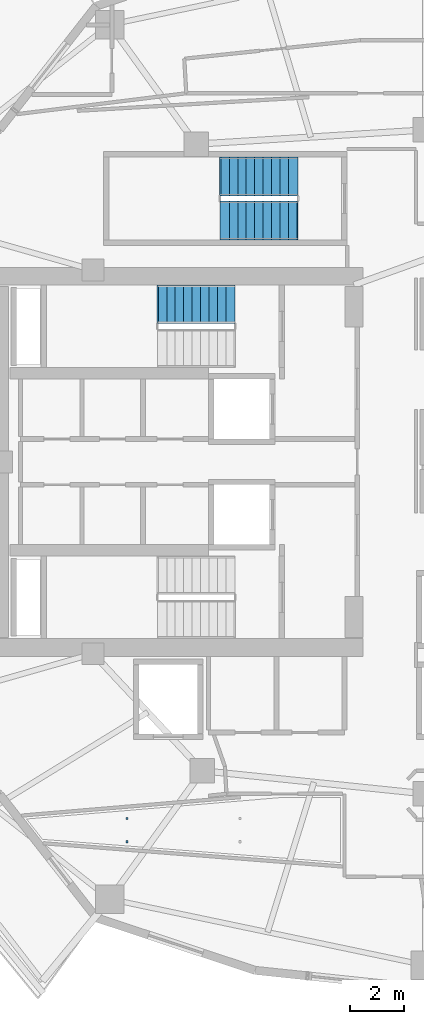
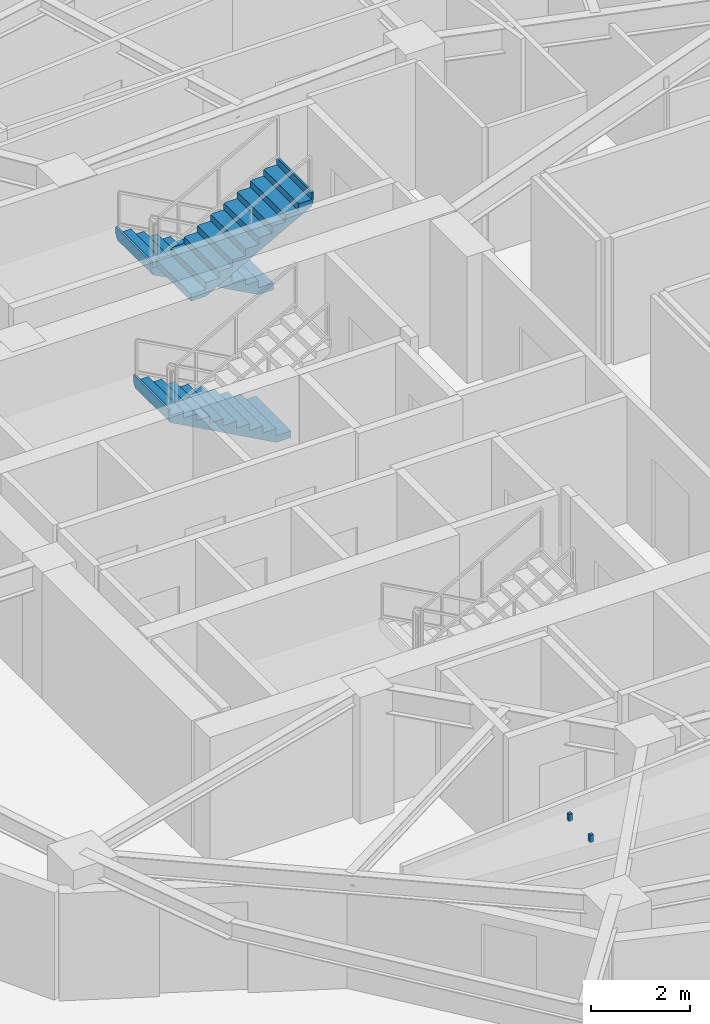
# One storey, part 11 of 18: 3 stair flights, 2 discrete accessories, 2 elements without a shape of their own.
"""IFC4 building model written with IfcOpenShell, lengths in metres."""

from ifc_helpers import new_model, si_unit, direction, frame, origin, origin_2d, place, context, subcontext, project, spatial, polyline, rectangle, outline, extrude, material, type_object, element, aggregate, save


model = new_model("IFC4")

# Units and contexts
model_context = context("Model", 3, precision=1e-05, world=origin(), true_north=direction((0.0, 1.0)))
body_context = subcontext(model_context, "Body", "Model", "MODEL_VIEW")
ifc_project = project(units=[si_unit("LENGTHUNIT", "METRE"), si_unit("AREAUNIT", "SQUARE_METRE"), si_unit("VOLUMEUNIT", "CUBIC_METRE"), si_unit("PLANEANGLEUNIT", "RADIAN"), si_unit("MASSUNIT", "GRAM", prefix="KILO")], contexts=[model_context])

# Site, building, storey
site_placement = place(None, origin())
site = spatial("IfcSite", under=ifc_project, at=site_placement, CompositionType="ELEMENT")
building_placement = place(site_placement, origin())
building = spatial("IfcBuilding", under=site, at=building_placement, Name="Kolvaren Gate Tower and Convention Centre", CompositionType="ELEMENT")
storey_placement = place(building_placement, frame((0.0, 0.0, 135.89990234375)))
storey = spatial("IfcBuildingStorey", under=building, at=storey_placement, Name="L34", CompositionType="ELEMENT", Elevation=135.89990234375)

# Stair, stair flight
ifc_material_1 = material(Name="Concrete C50/60", Category="concrete")
stair_type = type_object("IfcStairType", Name="STR-STAIR-CORE", PredefinedType="HALF_TURN_STAIR", material=ifc_material_1)
stair_1_placement = place(storey_placement, origin())
stair_1 = element("IfcStair", 1, at=stair_1_placement, inside=storey, type_object=stair_type, Name="L34 Tower North Exit Stair ST-T1", PredefinedType="HALF_TURN_STAIR")
stair_flight_type = type_object("IfcStairFlightType", Name="STR-SFL-1420", PredefinedType="STRAIGHT", material=ifc_material_1)
stair_flight_1_placement = place(storey_placement, frame((23.10009765625, 32.7900390625, 0.0), z_axis=(0.0, 0.0, 1.0), x_axis=(-1.0, 0.0, 0.0)))
stair_flight_1 = element("IfcStairFlight", 2, at=stair_flight_1_placement, type_object=stair_flight_type, Name="ST-T1 flight 1", NumberOfRisers=10, NumberOfTreads=9, PredefinedType="STRAIGHT", RiserHeight=0.17, TreadLength=0.31, context=body_context, shape_type="SweptSolid", body=[
    extrude(outline(polyline([(-0.034912109375, 0.0), (-0.034912109375, 0.169921875), (0.31005859375, 0.169921875), (0.31005859375, 0.340087890625), (0.6201171875, 0.340087890625), (0.6201171875, 0.510009765625), (0.929931640625, 0.510009765625), (0.929931640625, 0.679931640625), (1.239990234375, 0.679931640625), (1.239990234375, 0.85009765625), (1.550048828125, 0.85009765625), (1.550048828125, 1.02001953125), (1.860107421875, 1.02001953125), (1.860107421875, 1.18994140625), (2.169921875, 1.18994140625), (2.169921875, 1.360107421875), (2.47998046875, 1.360107421875), (2.47998046875, 1.530029296875), (2.7900390625, 1.530029296875), (2.7900390625, 1.699951171875), (2.8349609375, 1.699951171875), (2.8349609375, 1.5400390625), (2.7900390625, 1.359130859375), (0.311767578125, 0.0), (-0.034912109375, 0.0)])), frame((0.0, 0.7099609375, 0.0), z_axis=(0.0, -1.0, 0.0), x_axis=(1.0, 0.0, 0.0)), (0.0, 0.0, 1.0), 1.419921875),
])
aggregate(stair_1, [stair_flight_1])

# Stair, stair flights
stair_2_placement = place(storey_placement, origin())
stair_2 = element("IfcStair", 3, at=stair_2_placement, inside=storey, type_object=stair_type, Name="L34 Tower Mid-Zone Exit Stair ST-T3", PredefinedType="HALF_TURN_STAIR")
stair_flight_2_placement = place(storey_placement, frame((25.39990234375, 37.489990234375, 0.0), z_axis=(0.0, 0.0, 1.0), x_axis=(-1.0, 0.0, 0.0)))
stair_flight_2 = element("IfcStairFlight", 4, at=stair_flight_2_placement, type_object=stair_flight_type, Name="ST-T3 flight 1", NumberOfRisers=10, NumberOfTreads=9, PredefinedType="STRAIGHT", RiserHeight=0.17, TreadLength=0.31, context=body_context, shape_type="SweptSolid", body=[
    extrude(outline(polyline([(-0.034912109375, 0.0), (-0.034912109375, 0.169921875), (0.31005859375, 0.169921875), (0.31005859375, 0.340087890625), (0.6201171875, 0.340087890625), (0.6201171875, 0.510009765625), (0.929931640625, 0.510009765625), (0.929931640625, 0.679931640625), (1.239990234375, 0.679931640625), (1.239990234375, 0.85009765625), (1.550048828125, 0.85009765625), (1.550048828125, 1.02001953125), (1.860107421875, 1.02001953125), (1.860107421875, 1.18994140625), (2.169921875, 1.18994140625), (2.169921875, 1.360107421875), (2.47998046875, 1.360107421875), (2.47998046875, 1.530029296875), (2.7900390625, 1.530029296875), (2.7900390625, 1.699951171875), (2.8349609375, 1.699951171875), (2.8349609375, 1.5400390625), (2.7900390625, 1.359130859375), (0.311767578125, 0.0), (-0.034912109375, 0.0)])), frame((0.0, 0.7099609375, 0.0), z_axis=(0.0, -1.0, 0.0), x_axis=(1.0, 0.0, 0.0)), (0.0, 0.0, 1.0), 1.419921875),
])
stair_flight_3_placement = place(storey_placement, frame((22.610107421875, 35.8701171875, 1.7001953125), z_axis=(0.0, 0.0, 1.0), x_axis=(1.0, 0.0, 0.0)))
stair_flight_3 = element("IfcStairFlight", 5, at=stair_flight_3_placement, type_object=stair_flight_type, Name="ST-T3 flight 2", NumberOfRisers=10, NumberOfTreads=9, PredefinedType="STRAIGHT", RiserHeight=0.17, TreadLength=0.31, context=body_context, shape_type="SweptSolid", body=[
    extrude(outline(polyline([(-0.034912109375, 0.0), (-0.034912109375, 0.169921875), (0.31005859375, 0.169921875), (0.31005859375, 0.340087890625), (0.6201171875, 0.340087890625), (0.6201171875, 0.510009765625), (0.929931640625, 0.510009765625), (0.929931640625, 0.679931640625), (1.239990234375, 0.679931640625), (1.239990234375, 0.85009765625), (1.550048828125, 0.85009765625), (1.550048828125, 1.02001953125), (1.860107421875, 1.02001953125), (1.860107421875, 1.18994140625), (2.169921875, 1.18994140625), (2.169921875, 1.360107421875), (2.47998046875, 1.360107421875), (2.47998046875, 1.530029296875), (2.7900390625, 1.530029296875), (2.7900390625, 1.699951171875), (2.8349609375, 1.699951171875), (2.8349609375, 1.5400390625), (2.7900390625, 1.359130859375), (0.311767578125, 0.0), (-0.034912109375, 0.0)])), frame((0.0, 0.7099609375, 0.0), z_axis=(0.0, -1.0, 0.0), x_axis=(1.0, 0.0, 0.0)), (0.0, 0.0, 1.0), 1.419921875),
])
aggregate(stair_2, [stair_flight_2, stair_flight_3])

# Discrete accessories
ifc_material_2 = material(Name="Brushed Stainless Steel Grade 316L", Category="steel")
discrete_accessory_type = type_object("IfcDiscreteAccessoryType", Name="ARCH-ACC-HANGER-80", PredefinedType="BRACKET", material=ifc_material_2)
for number, where, z_axis, x_axis, name in (
    (6, (19.160888671875, 13.0380859375, 2.9501953125), (0.0, 0.0, 1.0), (1.0, 0.0, 0.0), "Hotel Sky Banquet Salon Ceiling Suspension Hanger Clip 1"),
    (7, (19.160888671875, 13.89697265625, 2.9501953125), (0.0, 0.0, 1.0), (1.0, 0.0, 0.0), "Hotel Sky Banquet Salon Ceiling Suspension Hanger Clip 3"),
):
    element("IfcDiscreteAccessory", number, at=place(storey_placement, frame(where, z_axis=z_axis, x_axis=x_axis)), inside=storey, type_object=discrete_accessory_type, Name=name, PredefinedType="BRACKET", context=body_context, shape_type="SweptSolid", body=[
        extrude(rectangle(XDim=0.080078125, YDim=0.080078125, at=origin_2d()), origin(), (0.0, 0.0, 1.0), 0.179931640625),
    ])

save(model, "model.ifc")
